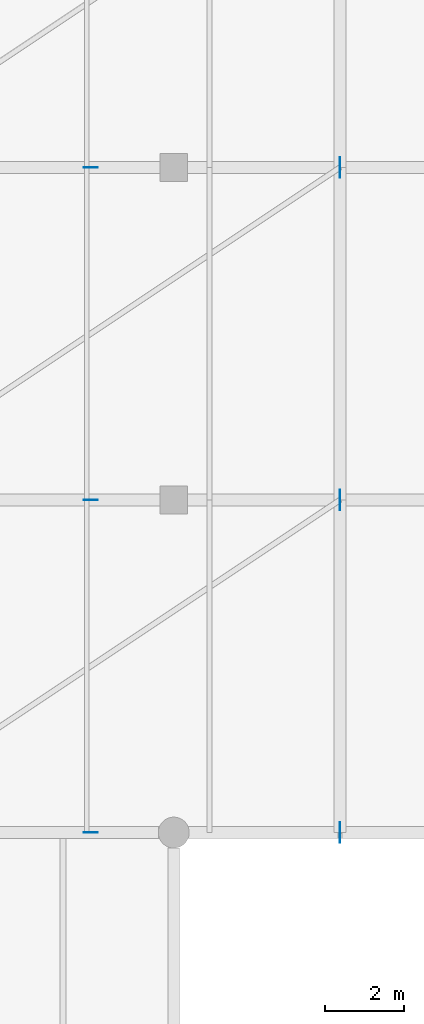
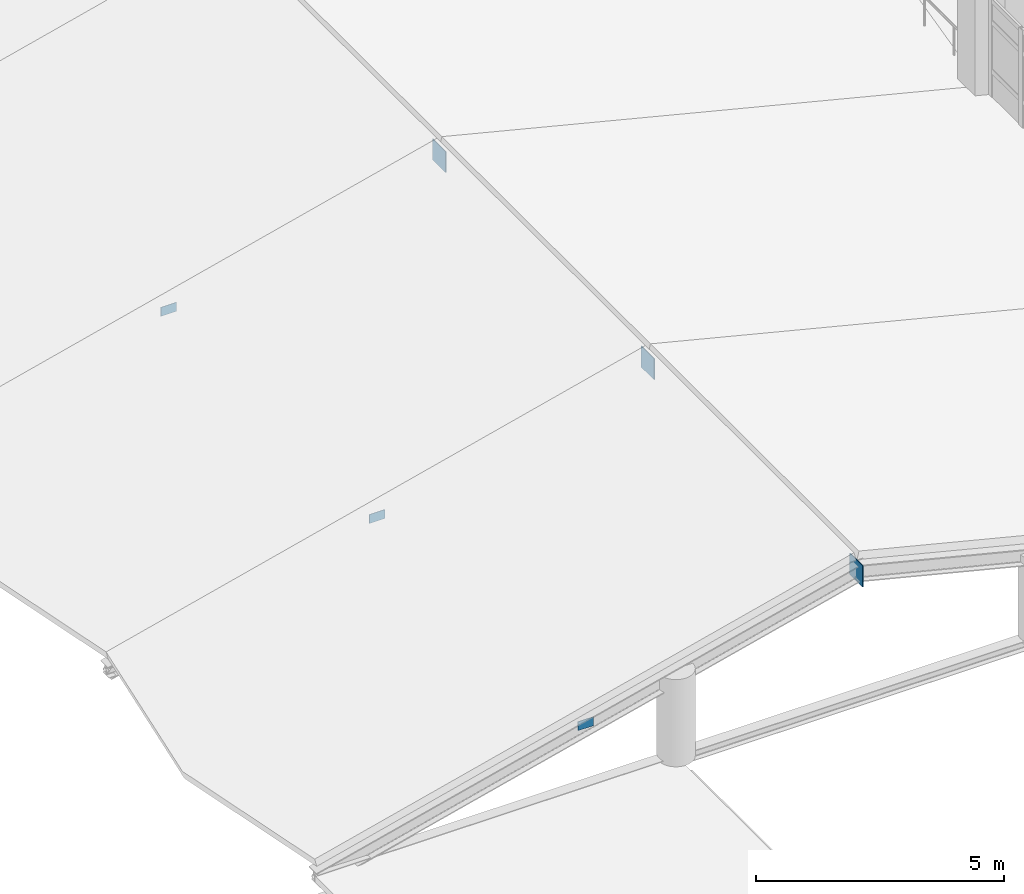
# One storey, part 76 of 95: 6 plates.
"""IFC4 building model written with IfcOpenShell, lengths in metres."""

from ifc_helpers import new_model, si_unit, direction, frame, origin, origin_2d, place, context, subcontext, project, spatial, rectangle, extrude, material, layer, layer_set, type_object, element, save


model = new_model("IFC4")

# Units and contexts
model_context = context("Model", 3, precision=1e-05, world=origin(), true_north=direction((0.0, 1.0)))
body_context = subcontext(model_context, "Body", "Model", "MODEL_VIEW")
ifc_project = project(units=[si_unit("LENGTHUNIT", "METRE"), si_unit("AREAUNIT", "SQUARE_METRE"), si_unit("VOLUMEUNIT", "CUBIC_METRE"), si_unit("PLANEANGLEUNIT", "RADIAN"), si_unit("MASSUNIT", "GRAM", prefix="KILO"), si_unit("THERMODYNAMICTEMPERATUREUNIT", "KELVIN"), si_unit("POWERUNIT", "WATT")], contexts=[model_context])

# Site, building, storey
site_placement = place(None, origin())
site = spatial("IfcSite", under=ifc_project, at=site_placement, CompositionType="ELEMENT")
building_placement = place(site_placement, origin())
building = spatial("IfcBuilding", under=site, at=building_placement, Name="Mavoryth Pier Ferry Terminal", CompositionType="ELEMENT")
storey_placement = place(building_placement, frame((0.0, 0.0, 9.60009765625)))
storey = spatial("IfcBuildingStorey", under=building, at=storey_placement, Name="L02", CompositionType="ELEMENT", Elevation=9.60009765625)

# Plates
ifc_material = material(Name="Steel S355J2", Category="steel")
ifc_layer_1 = layer(ifc_material, 0.02001953125, Name="Steel S355J2", Category="steel")
ifc_layer_set_1 = layer_set([ifc_layer_1], Name="Steel S355J2 - Plate-Gusset-520x520x20")
plate_type_1 = type_object("IfcPlateType", Name="Plate-Gusset-520x520x20", PredefinedType="SHEET", material=ifc_layer_set_1)
for number, where, z_axis, x_axis, name in (
    (1, (63.0, 72.39990234375, 2.835693359375), (0.0, 0.0, 1.0), (0.0, 1.0, 0.0), "Steel Node Plate PL-L02-0037"),
    (2, (63.0, 80.800048828125, 2.835693359375), (0.0, 0.0, 1.0), (0.0, 1.0, 0.0), "Steel Node Plate PL-L02-0039"),
    (3, (63.0, 89.199951171875, 2.835693359375), (0.0, 0.0, 1.0), (0.0, 1.0, 0.0), "Steel Node Plate PL-L02-0041"),
):
    element("IfcPlate", number, at=place(storey_placement, frame(where, z_axis=z_axis, x_axis=x_axis)), inside=storey, type_object=plate_type_1, Name=name, PredefinedType="SHEET", context=body_context, shape_type="SweptSolid", body=[
        extrude(rectangle(XDim=0.52001953125, YDim=0.02001953125, at=origin_2d()), origin(), (0.0, 0.0, 1.0), 0.52001953125),
    ])
ifc_layer_2 = layer(ifc_material, 0.011962890625, Name="Steel S355J2", Category="steel")
ifc_layer_set_2 = layer_set([ifc_layer_2], Name="Steel S355J2 - Plate-Stiffener-360x220x12")
plate_type_2 = type_object("IfcPlateType", Name="Plate-Stiffener-360x220x12", PredefinedType="USERDEFINED", material=ifc_layer_set_2)
for number, where, z_axis, x_axis, name in (
    (4, (56.699951171875, 72.39990234375, 1.4150390625), (0.0, 0.0, 1.0), (1.0, 0.0, 0.0), "Steel Node Plate PL-L02-0038"),
    (5, (56.699951171875, 80.800048828125, 1.4150390625), (0.0, 0.0, 1.0), (1.0, 0.0, 0.0), "Steel Node Plate PL-L02-0040"),
    (6, (56.699951171875, 89.199951171875, 1.4150390625), (0.0, 0.0, 1.0), (1.0, 0.0, 0.0), "Steel Node Plate PL-L02-0042"),
):
    element("IfcPlate", number, at=place(storey_placement, frame(where, z_axis=z_axis, x_axis=x_axis)), inside=storey, type_object=plate_type_2, Name=name, ObjectType="STIFFENER PLATE", PredefinedType="USERDEFINED", context=body_context, shape_type="SweptSolid", body=[
        extrude(rectangle(XDim=0.360107421875, YDim=0.011962890625, at=origin_2d()), origin(), (0.0, 0.0, 1.0), 0.219970703125),
    ])

save(model, "model.ifc")
